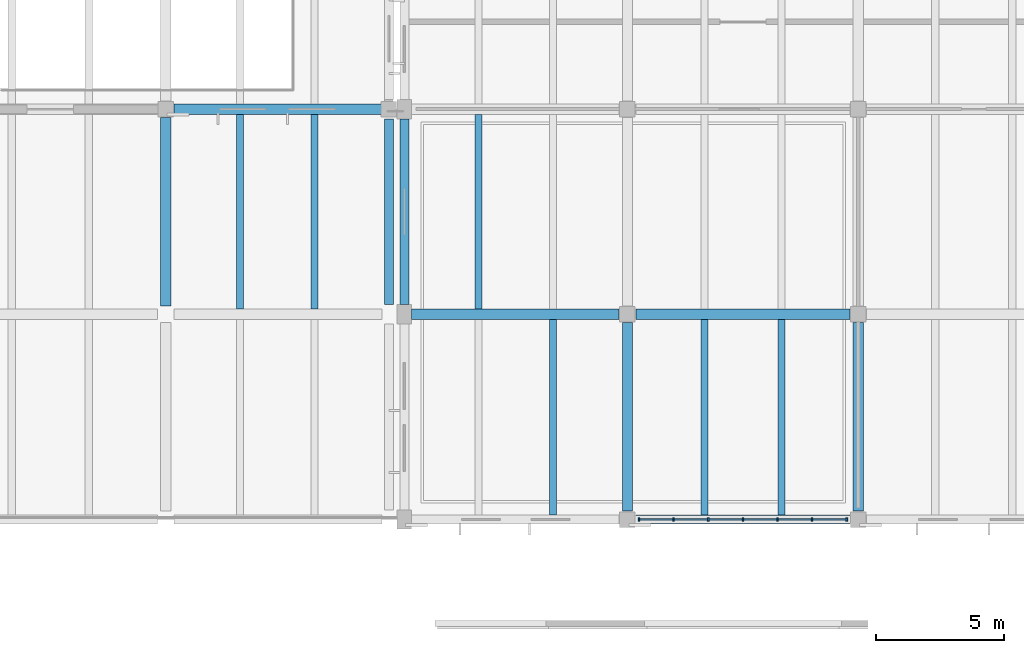
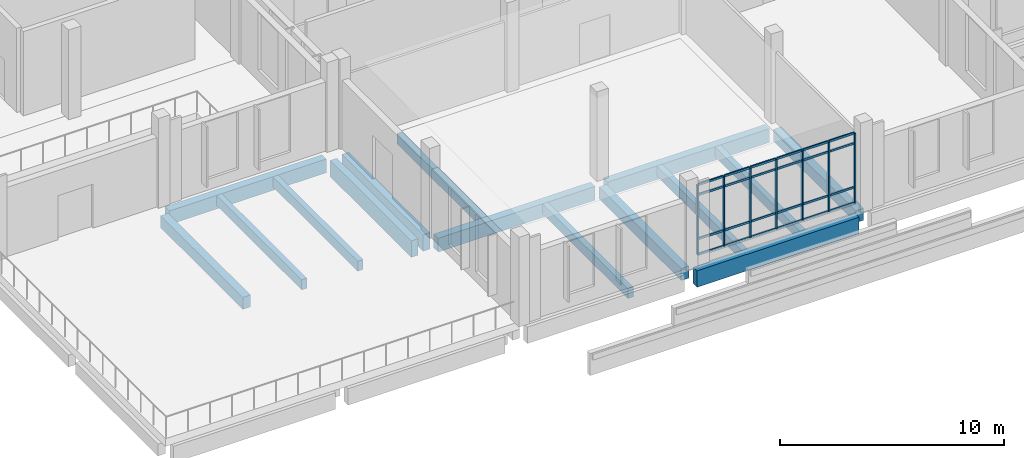
# One storey, part 13 of 110: 31 members, 15 beams, 1 element without a shape of its own.
"""IFC4 building model written with IfcOpenShell, lengths in metres."""

from ifc_helpers import new_model, si_unit, direction, frame, origin, origin_2d, place, context, subcontext, project, spatial, rectangle, extrude, material, layer, layer_set, material_profile, profile_set, type_object, element, aggregate, save


model = new_model("IFC4")

# Units and contexts
model_context = context("Model", 3, precision=1e-05, world=origin(), true_north=direction((0.0, 1.0)))
body_context = subcontext(model_context, "Body", "Model", "MODEL_VIEW")
ifc_project = project(units=[si_unit("LENGTHUNIT", "METRE"), si_unit("AREAUNIT", "SQUARE_METRE"), si_unit("VOLUMEUNIT", "CUBIC_METRE"), si_unit("PLANEANGLEUNIT", "RADIAN"), si_unit("MASSUNIT", "GRAM", prefix="KILO")], contexts=[model_context])

# Site, building, storey
site_placement = place(None, origin())
site = spatial("IfcSite", under=ifc_project, at=site_placement, CompositionType="ELEMENT")
building_placement = place(site_placement, origin())
building = spatial("IfcBuilding", under=site, at=building_placement, Name="Zacnel Wholesale Market", CompositionType="ELEMENT")
storey_placement = place(building_placement, frame((0.0, 0.0, 6.300048828125)))
storey = spatial("IfcBuildingStorey", under=building, at=storey_placement, Name="L02", CompositionType="ELEMENT", Elevation=6.300048828125)

# Beams
ifc_material_1 = material(Name="Precast concrete C45/55", Category="concrete")
ifc_material_profile_1 = material_profile(ifc_material_1, rectangle(XDim=0.280029296875, YDim=0.550048828125, at=origin_2d()), Name="DT RIB 280x550")
ifc_profile_set_1 = profile_set([ifc_material_profile_1], Name="Precast concrete C45/55")
beam_type_1 = type_object("IfcBeamType", Name="BM-DT550", PredefinedType="JOIST", material=ifc_profile_set_1)
for number, where, z_axis, x_axis, name in (
    (1, (78.10009765625, 0.175048828125, -0.574951171875), (0.0, 1.0, 0.0), (-1.0, 0.0, 0.0), "Precast secondary joist L02-0006"),
    (2, (84.0, 0.175048828125, -0.574951171875), (0.0, 1.0, 0.0), (-1.0, 0.0, 0.0), "Precast secondary joist L02-0007"),
    (3, (87.0, 0.175048828125, -0.574951171875), (0.0, 1.0, 0.0), (-1.0, 0.0, 0.0), "Precast secondary joist L02-0008"),
):
    element("IfcBeam", number, at=place(storey_placement, frame(where, z_axis=z_axis, x_axis=x_axis)), inside=storey, type_object=beam_type_1, Name=name, PredefinedType="JOIST", context=body_context, shape_type="SweptSolid", body=[
        extrude(rectangle(XDim=0.280029296875, YDim=0.550048828125, at=origin_2d()), origin(), (0.0, 0.0, 1.0), 7.625),
    ])
for number, where, z_axis, x_axis, name in (
    (4, (65.89990234375, 8.199951171875, -0.695068359375), (0.0, 1.0, 0.0), (-1.0, 0.0, 0.0), "Precast secondary joist L02-0025"),
    (5, (68.800048828125, 8.199951171875, -0.695068359375), (0.0, 1.0, 0.0), (-1.0, 0.0, 0.0), "Precast secondary joist L02-0026"),
    (6, (75.199951171875, 8.199951171875, -0.574951171875), (0.0, 1.0, 0.0), (-1.0, 0.0, 0.0), "Precast secondary joist L02-0027"),
):
    element("IfcBeam", number, at=place(storey_placement, frame(where, z_axis=z_axis, x_axis=x_axis)), inside=storey, type_object=beam_type_1, Name=name, PredefinedType="JOIST", context=body_context, shape_type="SweptSolid", body=[
        extrude(rectangle(XDim=0.280029296875, YDim=0.550048828125, at=origin_2d()), origin(), (0.0, 0.0, 1.0), 7.60009765625),
    ])
ifc_material_2 = material(Name="Precast concrete C45/55", Category="concrete")
ifc_material_profile_2 = material_profile(ifc_material_2, rectangle(XDim=0.39990234375, YDim=0.64990234375, at=origin_2d()), Name="PG 400x650")
ifc_profile_set_2 = profile_set([ifc_material_profile_2], Name="Precast concrete C45/55")
beam_type_2 = type_object("IfcBeamType", Name="BM-PG650", PredefinedType="BEAM", material=ifc_profile_set_2)
for number, where, z_axis, x_axis, name in (
    (7, (63.0, 8.324951171875, -0.7451171875), (0.0, 1.0, 0.0), (-1.0, 0.0, 0.0), "Precast girder Y-0388"),
    (8, (81.0, 0.324951171875, -0.625), (0.0, 1.0, 0.0), (-1.0, 0.0, 0.0), "Precast girder Y-0420"),
    (9, (90.0, 0.324951171875, -0.625), (0.0, 1.0, 0.0), (-1.0, 0.0, 0.0), "Precast girder Y-0428"),
):
    element("IfcBeam", number, at=place(storey_placement, frame(where, z_axis=z_axis, x_axis=x_axis)), inside=storey, type_object=beam_type_2, Name=name, PredefinedType="BEAM", context=body_context, shape_type="SweptSolid", body=[
        extrude(rectangle(XDim=0.39990234375, YDim=0.64990234375, at=origin_2d()), origin(), (0.0, 0.0, 1.0), 7.35009765625),
    ])
ifc_material_3 = material(Name="Precast concrete C45/55", Category="concrete")
ifc_material_profile_3 = material_profile(ifc_material_3, rectangle(XDim=0.39990234375, YDim=0.75, at=origin_2d()), Name="PG 400x750")
ifc_profile_set_3 = profile_set([ifc_material_profile_3], Name="Precast concrete C45/55")
beam_type_3 = type_object("IfcBeamType", Name="BM-PG750", PredefinedType="BEAM", material=ifc_profile_set_3)
beam_1_placement = place(storey_placement, frame((72.574951171875, 8.0, -0.675048828125), z_axis=(1.0, 0.0, 0.0), x_axis=(0.0, 1.0, 0.0)))
element("IfcBeam", 10, at=beam_1_placement, inside=storey, type_object=beam_type_3, Name="Precast girder X-0016", PredefinedType="BEAM", context=body_context, shape_type="SweptSolid", body=[
    extrude(rectangle(XDim=0.39990234375, YDim=0.75, at=origin_2d()), origin(), (0.0, 0.0, 1.0), 8.10009765625),
])
beam_2_placement = place(storey_placement, frame((81.324951171875, 8.0, -0.675048828125), z_axis=(1.0, 0.0, 0.0), x_axis=(0.0, 1.0, 0.0)))
element("IfcBeam", 11, at=beam_2_placement, inside=storey, type_object=beam_type_3, Name="Precast girder X-0017", PredefinedType="BEAM", context=body_context, shape_type="SweptSolid", body=[
    extrude(rectangle(XDim=0.39990234375, YDim=0.75, at=origin_2d()), origin(), (0.0, 0.0, 1.0), 8.35009765625),
])
beam_3_placement = place(storey_placement, frame((63.324951171875, 16.0, -0.795166015625), z_axis=(1.0, 0.0, 0.0), x_axis=(0.0, 1.0, 0.0)))
element("IfcBeam", 12, at=beam_3_placement, inside=storey, type_object=beam_type_3, Name="Precast girder X-0032", PredefinedType="BEAM", context=body_context, shape_type="SweptSolid", body=[
    extrude(rectangle(XDim=0.39990234375, YDim=0.75, at=origin_2d()), origin(), (0.0, 0.0, 1.0), 8.10009765625),
])
ifc_material_4 = material(Name="Precast concrete C45/55", Category="concrete")
ifc_material_profile_4 = material_profile(ifc_material_4, rectangle(XDim=0.35009765625, YDim=0.89990234375, at=origin_2d()), Name="SP 350x900")
ifc_profile_set_4 = profile_set([ifc_material_profile_4], Name="Precast concrete C45/55")
beam_type_4 = type_object("IfcBeamType", Name="BM-SP900", PredefinedType="SPANDREL", material=ifc_profile_set_4)
beam_4_placement = place(storey_placement, frame((81.324951171875, 0.0, -0.75), z_axis=(1.0, 0.0, 0.0), x_axis=(0.0, 1.0, 0.0)))
element("IfcBeam", 13, at=beam_4_placement, inside=storey, type_object=beam_type_4, Name="Precast girder X-0004", PredefinedType="SPANDREL", context=body_context, shape_type="SweptSolid", body=[
    extrude(rectangle(XDim=0.35009765625, YDim=0.89990234375, at=origin_2d()), origin(), (0.0, 0.0, 1.0), 8.35009765625),
])
for number, where, z_axis, x_axis, name in (
    (14, (71.699951171875, 8.375, -0.8701171875), (0.0, 1.0, 0.0), (-1.0, 0.0, 0.0), "Precast girder Y-0402"),
    (15, (72.300048828125, 8.375, -0.75), (0.0, 1.0, 0.0), (-1.0, 0.0, 0.0), "Precast girder Y-0417"),
):
    element("IfcBeam", number, at=place(storey_placement, frame(where, z_axis=z_axis, x_axis=x_axis)), inside=storey, type_object=beam_type_4, Name=name, PredefinedType="SPANDREL", context=body_context, shape_type="SweptSolid", body=[
        extrude(rectangle(XDim=0.35009765625, YDim=0.89990234375, at=origin_2d()), origin(), (0.0, 0.0, 1.0), 7.25),
    ])

# Curtain wall, members
ifc_material_5 = material(Name="Anodised aluminium", Category="aluminium")
ifc_layer = layer(ifc_material_5, 0.159912109375)
ifc_layer_set = layer_set([ifc_layer], Name="Anodised aluminium")
curtain_wall_type = type_object("IfcCurtainWallType", Name="CW-TERR-3900", PredefinedType="NOTDEFINED", material=ifc_layer_set)
curtain_wall_placement = place(storey_placement, origin())
curtain_wall = element("IfcCurtainWall", 16, at=curtain_wall_placement, inside=storey, type_object=curtain_wall_type, Name="Curtain wall ENV-R2-CW-L02-009", PredefinedType="NOTDEFINED")
ifc_material_6 = material(Name="Anodised aluminium", Category="aluminium")
ifc_material_profile_5 = material_profile(ifc_material_6, rectangle(XDim=0.06494140625, YDim=0.14990234375, at=origin_2d()), Name="AW-MULLION 65x150")
ifc_profile_set_5 = profile_set([ifc_material_profile_5], Name="Anodised aluminium")
member_type_1 = type_object("IfcMemberType", Name="CWM-MUL-05", PredefinedType="MULLION", material=ifc_profile_set_5)
member_1_placement = place(storey_placement, frame((81.449951171875, 0.0, 0.449951171875), z_axis=(0.0, 0.0, 1.0), x_axis=(1.0, 0.0, 0.0)))
member_1 = element("IfcMember", 17, at=member_1_placement, type_object=member_type_1, Name="ENV-R2-CW-L02-009 mullion 01", PredefinedType="MULLION", context=body_context, shape_type="SweptSolid", body=[
    extrude(rectangle(XDim=0.06494140625, YDim=0.14990234375, at=origin_2d()), origin(), (0.0, 0.0, 1.0), 3.800048828125),
])
member_2_placement = place(storey_placement, frame((82.800048828125, 0.0, 0.449951171875), z_axis=(0.0, 0.0, 1.0), x_axis=(1.0, 0.0, 0.0)))
member_2 = element("IfcMember", 18, at=member_2_placement, type_object=member_type_1, Name="ENV-R2-CW-L02-009 mullion 02", PredefinedType="MULLION", context=body_context, shape_type="SweptSolid", body=[
    extrude(rectangle(XDim=0.06494140625, YDim=0.14990234375, at=origin_2d()), origin(), (0.0, 0.0, 1.0), 3.800048828125),
])
member_3_placement = place(storey_placement, frame((84.14990234375, 0.0, 0.449951171875), z_axis=(0.0, 0.0, 1.0), x_axis=(1.0, 0.0, 0.0)))
member_3 = element("IfcMember", 19, at=member_3_placement, type_object=member_type_1, Name="ENV-R2-CW-L02-009 mullion 03", PredefinedType="MULLION", context=body_context, shape_type="SweptSolid", body=[
    extrude(rectangle(XDim=0.06494140625, YDim=0.14990234375, at=origin_2d()), origin(), (0.0, 0.0, 1.0), 3.800048828125),
])
member_4_placement = place(storey_placement, frame((85.5, 0.0, 0.449951171875), z_axis=(0.0, 0.0, 1.0), x_axis=(1.0, 0.0, 0.0)))
member_4 = element("IfcMember", 20, at=member_4_placement, type_object=member_type_1, Name="ENV-R2-CW-L02-009 mullion 04", PredefinedType="MULLION", context=body_context, shape_type="SweptSolid", body=[
    extrude(rectangle(XDim=0.06494140625, YDim=0.14990234375, at=origin_2d()), origin(), (0.0, 0.0, 1.0), 3.800048828125),
])
member_5_placement = place(storey_placement, frame((86.85009765625, 0.0, 0.449951171875), z_axis=(0.0, 0.0, 1.0), x_axis=(1.0, 0.0, 0.0)))
member_5 = element("IfcMember", 21, at=member_5_placement, type_object=member_type_1, Name="ENV-R2-CW-L02-009 mullion 05", PredefinedType="MULLION", context=body_context, shape_type="SweptSolid", body=[
    extrude(rectangle(XDim=0.06494140625, YDim=0.14990234375, at=origin_2d()), origin(), (0.0, 0.0, 1.0), 3.800048828125),
])
member_6_placement = place(storey_placement, frame((88.199951171875, 0.0, 0.449951171875), z_axis=(0.0, 0.0, 1.0), x_axis=(1.0, 0.0, 0.0)))
member_6 = element("IfcMember", 22, at=member_6_placement, type_object=member_type_1, Name="ENV-R2-CW-L02-009 mullion 06", PredefinedType="MULLION", context=body_context, shape_type="SweptSolid", body=[
    extrude(rectangle(XDim=0.06494140625, YDim=0.14990234375, at=origin_2d()), origin(), (0.0, 0.0, 1.0), 3.800048828125),
])
member_7_placement = place(storey_placement, frame((89.550048828125, 0.0, 0.449951171875), z_axis=(0.0, 0.0, 1.0), x_axis=(1.0, 0.0, 0.0)))
member_7 = element("IfcMember", 23, at=member_7_placement, type_object=member_type_1, Name="ENV-R2-CW-L02-009 mullion 07", PredefinedType="MULLION", context=body_context, shape_type="SweptSolid", body=[
    extrude(rectangle(XDim=0.06494140625, YDim=0.14990234375, at=origin_2d()), origin(), (0.0, 0.0, 1.0), 3.800048828125),
])
ifc_material_7 = material(Name="Anodised aluminium", Category="aluminium")
ifc_material_profile_6 = material_profile(ifc_material_7, rectangle(XDim=0.06494140625, YDim=0.114990234375, at=origin_2d()), Name="AW-TRANSOM 65x115")
ifc_profile_set_6 = profile_set([ifc_material_profile_6], Name="Anodised aluminium")
member_type_2 = type_object("IfcMemberType", Name="CWM-TRN-05", PredefinedType="USERDEFINED", material=ifc_profile_set_6)
member_8_placement = place(storey_placement, frame((81.485107421875, 0.0, 0.449951171875), z_axis=(1.0, 0.0, 0.0), x_axis=(0.0, 1.0, 0.0)))
member_8 = element("IfcMember", 24, at=member_8_placement, type_object=member_type_2, Name="ENV-R2-CW-L02-009 transom 1-1", ObjectType="TRANSOM", PredefinedType="USERDEFINED", context=body_context, shape_type="SweptSolid", body=[
    extrude(rectangle(XDim=0.06494140625, YDim=0.114990234375, at=origin_2d()), origin(), (0.0, 0.0, 1.0), 1.27978515625),
])
member_9_placement = place(storey_placement, frame((81.485107421875, 0.0, 1.300048828125), z_axis=(1.0, 0.0, 0.0), x_axis=(0.0, 1.0, 0.0)))
member_9 = element("IfcMember", 25, at=member_9_placement, type_object=member_type_2, Name="ENV-R2-CW-L02-009 transom 1-2", ObjectType="TRANSOM", PredefinedType="USERDEFINED", context=body_context, shape_type="SweptSolid", body=[
    extrude(rectangle(XDim=0.06494140625, YDim=0.114990234375, at=origin_2d()), origin(), (0.0, 0.0, 1.0), 1.27978515625),
])
member_10_placement = place(storey_placement, frame((81.485107421875, 0.0, 3.699951171875), z_axis=(1.0, 0.0, 0.0), x_axis=(0.0, 1.0, 0.0)))
member_10 = element("IfcMember", 26, at=member_10_placement, type_object=member_type_2, Name="ENV-R2-CW-L02-009 transom 1-3", ObjectType="TRANSOM", PredefinedType="USERDEFINED", context=body_context, shape_type="SweptSolid", body=[
    extrude(rectangle(XDim=0.06494140625, YDim=0.114990234375, at=origin_2d()), origin(), (0.0, 0.0, 1.0), 1.27978515625),
])
member_11_placement = place(storey_placement, frame((81.485107421875, 0.0, 4.25), z_axis=(1.0, 0.0, 0.0), x_axis=(0.0, 1.0, 0.0)))
member_11 = element("IfcMember", 27, at=member_11_placement, type_object=member_type_2, Name="ENV-R2-CW-L02-009 transom 1-4", ObjectType="TRANSOM", PredefinedType="USERDEFINED", context=body_context, shape_type="SweptSolid", body=[
    extrude(rectangle(XDim=0.06494140625, YDim=0.114990234375, at=origin_2d()), origin(), (0.0, 0.0, 1.0), 1.27978515625),
])
member_12_placement = place(storey_placement, frame((82.8349609375, 0.0, 0.449951171875), z_axis=(1.0, 0.0, 0.0), x_axis=(0.0, 1.0, 0.0)))
member_12 = element("IfcMember", 28, at=member_12_placement, type_object=member_type_2, Name="ENV-R2-CW-L02-009 transom 2-1", ObjectType="TRANSOM", PredefinedType="USERDEFINED", context=body_context, shape_type="SweptSolid", body=[
    extrude(rectangle(XDim=0.06494140625, YDim=0.114990234375, at=origin_2d()), origin(), (0.0, 0.0, 1.0), 1.280029296875),
])
member_13_placement = place(storey_placement, frame((82.8349609375, 0.0, 1.300048828125), z_axis=(1.0, 0.0, 0.0), x_axis=(0.0, 1.0, 0.0)))
member_13 = element("IfcMember", 29, at=member_13_placement, type_object=member_type_2, Name="ENV-R2-CW-L02-009 transom 2-2", ObjectType="TRANSOM", PredefinedType="USERDEFINED", context=body_context, shape_type="SweptSolid", body=[
    extrude(rectangle(XDim=0.06494140625, YDim=0.114990234375, at=origin_2d()), origin(), (0.0, 0.0, 1.0), 1.280029296875),
])
member_14_placement = place(storey_placement, frame((82.8349609375, 0.0, 3.699951171875), z_axis=(1.0, 0.0, 0.0), x_axis=(0.0, 1.0, 0.0)))
member_14 = element("IfcMember", 30, at=member_14_placement, type_object=member_type_2, Name="ENV-R2-CW-L02-009 transom 2-3", ObjectType="TRANSOM", PredefinedType="USERDEFINED", context=body_context, shape_type="SweptSolid", body=[
    extrude(rectangle(XDim=0.06494140625, YDim=0.114990234375, at=origin_2d()), origin(), (0.0, 0.0, 1.0), 1.280029296875),
])
member_15_placement = place(storey_placement, frame((82.8349609375, 0.0, 4.25), z_axis=(1.0, 0.0, 0.0), x_axis=(0.0, 1.0, 0.0)))
member_15 = element("IfcMember", 31, at=member_15_placement, type_object=member_type_2, Name="ENV-R2-CW-L02-009 transom 2-4", ObjectType="TRANSOM", PredefinedType="USERDEFINED", context=body_context, shape_type="SweptSolid", body=[
    extrude(rectangle(XDim=0.06494140625, YDim=0.114990234375, at=origin_2d()), origin(), (0.0, 0.0, 1.0), 1.280029296875),
])
member_16_placement = place(storey_placement, frame((84.18505859375, 0.0, 0.449951171875), z_axis=(1.0, 0.0, 0.0), x_axis=(0.0, 1.0, 0.0)))
member_16 = element("IfcMember", 32, at=member_16_placement, type_object=member_type_2, Name="ENV-R2-CW-L02-009 transom 3-1", ObjectType="TRANSOM", PredefinedType="USERDEFINED", context=body_context, shape_type="SweptSolid", body=[
    extrude(rectangle(XDim=0.06494140625, YDim=0.114990234375, at=origin_2d()), origin(), (0.0, 0.0, 1.0), 1.280029296875),
])
member_17_placement = place(storey_placement, frame((84.18505859375, 0.0, 1.300048828125), z_axis=(1.0, 0.0, 0.0), x_axis=(0.0, 1.0, 0.0)))
member_17 = element("IfcMember", 33, at=member_17_placement, type_object=member_type_2, Name="ENV-R2-CW-L02-009 transom 3-2", ObjectType="TRANSOM", PredefinedType="USERDEFINED", context=body_context, shape_type="SweptSolid", body=[
    extrude(rectangle(XDim=0.06494140625, YDim=0.114990234375, at=origin_2d()), origin(), (0.0, 0.0, 1.0), 1.280029296875),
])
member_18_placement = place(storey_placement, frame((84.18505859375, 0.0, 3.699951171875), z_axis=(1.0, 0.0, 0.0), x_axis=(0.0, 1.0, 0.0)))
member_18 = element("IfcMember", 34, at=member_18_placement, type_object=member_type_2, Name="ENV-R2-CW-L02-009 transom 3-3", ObjectType="TRANSOM", PredefinedType="USERDEFINED", context=body_context, shape_type="SweptSolid", body=[
    extrude(rectangle(XDim=0.06494140625, YDim=0.114990234375, at=origin_2d()), origin(), (0.0, 0.0, 1.0), 1.280029296875),
])
member_19_placement = place(storey_placement, frame((84.18505859375, 0.0, 4.25), z_axis=(1.0, 0.0, 0.0), x_axis=(0.0, 1.0, 0.0)))
member_19 = element("IfcMember", 35, at=member_19_placement, type_object=member_type_2, Name="ENV-R2-CW-L02-009 transom 3-4", ObjectType="TRANSOM", PredefinedType="USERDEFINED", context=body_context, shape_type="SweptSolid", body=[
    extrude(rectangle(XDim=0.06494140625, YDim=0.114990234375, at=origin_2d()), origin(), (0.0, 0.0, 1.0), 1.280029296875),
])
member_20_placement = place(storey_placement, frame((85.534912109375, 0.0, 0.449951171875), z_axis=(1.0, 0.0, 0.0), x_axis=(0.0, 1.0, 0.0)))
member_20 = element("IfcMember", 36, at=member_20_placement, type_object=member_type_2, Name="ENV-R2-CW-L02-009 transom 4-1", ObjectType="TRANSOM", PredefinedType="USERDEFINED", context=body_context, shape_type="SweptSolid", body=[
    extrude(rectangle(XDim=0.06494140625, YDim=0.114990234375, at=origin_2d()), origin(), (0.0, 0.0, 1.0), 1.280029296875),
])
member_21_placement = place(storey_placement, frame((85.534912109375, 0.0, 1.300048828125), z_axis=(1.0, 0.0, 0.0), x_axis=(0.0, 1.0, 0.0)))
member_21 = element("IfcMember", 37, at=member_21_placement, type_object=member_type_2, Name="ENV-R2-CW-L02-009 transom 4-2", ObjectType="TRANSOM", PredefinedType="USERDEFINED", context=body_context, shape_type="SweptSolid", body=[
    extrude(rectangle(XDim=0.06494140625, YDim=0.114990234375, at=origin_2d()), origin(), (0.0, 0.0, 1.0), 1.280029296875),
])
member_22_placement = place(storey_placement, frame((85.534912109375, 0.0, 3.699951171875), z_axis=(1.0, 0.0, 0.0), x_axis=(0.0, 1.0, 0.0)))
member_22 = element("IfcMember", 38, at=member_22_placement, type_object=member_type_2, Name="ENV-R2-CW-L02-009 transom 4-3", ObjectType="TRANSOM", PredefinedType="USERDEFINED", context=body_context, shape_type="SweptSolid", body=[
    extrude(rectangle(XDim=0.06494140625, YDim=0.114990234375, at=origin_2d()), origin(), (0.0, 0.0, 1.0), 1.280029296875),
])
member_23_placement = place(storey_placement, frame((85.534912109375, 0.0, 4.25), z_axis=(1.0, 0.0, 0.0), x_axis=(0.0, 1.0, 0.0)))
member_23 = element("IfcMember", 39, at=member_23_placement, type_object=member_type_2, Name="ENV-R2-CW-L02-009 transom 4-4", ObjectType="TRANSOM", PredefinedType="USERDEFINED", context=body_context, shape_type="SweptSolid", body=[
    extrude(rectangle(XDim=0.06494140625, YDim=0.114990234375, at=origin_2d()), origin(), (0.0, 0.0, 1.0), 1.280029296875),
])
member_24_placement = place(storey_placement, frame((86.885009765625, 0.0, 0.449951171875), z_axis=(1.0, 0.0, 0.0), x_axis=(0.0, 1.0, 0.0)))
member_24 = element("IfcMember", 40, at=member_24_placement, type_object=member_type_2, Name="ENV-R2-CW-L02-009 transom 5-1", ObjectType="TRANSOM", PredefinedType="USERDEFINED", context=body_context, shape_type="SweptSolid", body=[
    extrude(rectangle(XDim=0.06494140625, YDim=0.114990234375, at=origin_2d()), origin(), (0.0, 0.0, 1.0), 1.280029296875),
])
member_25_placement = place(storey_placement, frame((86.885009765625, 0.0, 1.300048828125), z_axis=(1.0, 0.0, 0.0), x_axis=(0.0, 1.0, 0.0)))
member_25 = element("IfcMember", 41, at=member_25_placement, type_object=member_type_2, Name="ENV-R2-CW-L02-009 transom 5-2", ObjectType="TRANSOM", PredefinedType="USERDEFINED", context=body_context, shape_type="SweptSolid", body=[
    extrude(rectangle(XDim=0.06494140625, YDim=0.114990234375, at=origin_2d()), origin(), (0.0, 0.0, 1.0), 1.280029296875),
])
member_26_placement = place(storey_placement, frame((86.885009765625, 0.0, 3.699951171875), z_axis=(1.0, 0.0, 0.0), x_axis=(0.0, 1.0, 0.0)))
member_26 = element("IfcMember", 42, at=member_26_placement, type_object=member_type_2, Name="ENV-R2-CW-L02-009 transom 5-3", ObjectType="TRANSOM", PredefinedType="USERDEFINED", context=body_context, shape_type="SweptSolid", body=[
    extrude(rectangle(XDim=0.06494140625, YDim=0.114990234375, at=origin_2d()), origin(), (0.0, 0.0, 1.0), 1.280029296875),
])
member_27_placement = place(storey_placement, frame((86.885009765625, 0.0, 4.25), z_axis=(1.0, 0.0, 0.0), x_axis=(0.0, 1.0, 0.0)))
member_27 = element("IfcMember", 43, at=member_27_placement, type_object=member_type_2, Name="ENV-R2-CW-L02-009 transom 5-4", ObjectType="TRANSOM", PredefinedType="USERDEFINED", context=body_context, shape_type="SweptSolid", body=[
    extrude(rectangle(XDim=0.06494140625, YDim=0.114990234375, at=origin_2d()), origin(), (0.0, 0.0, 1.0), 1.280029296875),
])
member_28_placement = place(storey_placement, frame((88.235107421875, 0.0, 0.449951171875), z_axis=(1.0, 0.0, 0.0), x_axis=(0.0, 1.0, 0.0)))
member_28 = element("IfcMember", 44, at=member_28_placement, type_object=member_type_2, Name="ENV-R2-CW-L02-009 transom 6-1", ObjectType="TRANSOM", PredefinedType="USERDEFINED", context=body_context, shape_type="SweptSolid", body=[
    extrude(rectangle(XDim=0.06494140625, YDim=0.114990234375, at=origin_2d()), origin(), (0.0, 0.0, 1.0), 1.27978515625),
])
member_29_placement = place(storey_placement, frame((88.235107421875, 0.0, 1.300048828125), z_axis=(1.0, 0.0, 0.0), x_axis=(0.0, 1.0, 0.0)))
member_29 = element("IfcMember", 45, at=member_29_placement, type_object=member_type_2, Name="ENV-R2-CW-L02-009 transom 6-2", ObjectType="TRANSOM", PredefinedType="USERDEFINED", context=body_context, shape_type="SweptSolid", body=[
    extrude(rectangle(XDim=0.06494140625, YDim=0.114990234375, at=origin_2d()), origin(), (0.0, 0.0, 1.0), 1.27978515625),
])
member_30_placement = place(storey_placement, frame((88.235107421875, 0.0, 3.699951171875), z_axis=(1.0, 0.0, 0.0), x_axis=(0.0, 1.0, 0.0)))
member_30 = element("IfcMember", 46, at=member_30_placement, type_object=member_type_2, Name="ENV-R2-CW-L02-009 transom 6-3", ObjectType="TRANSOM", PredefinedType="USERDEFINED", context=body_context, shape_type="SweptSolid", body=[
    extrude(rectangle(XDim=0.06494140625, YDim=0.114990234375, at=origin_2d()), origin(), (0.0, 0.0, 1.0), 1.27978515625),
])
member_31_placement = place(storey_placement, frame((88.235107421875, 0.0, 4.25), z_axis=(1.0, 0.0, 0.0), x_axis=(0.0, 1.0, 0.0)))
member_31 = element("IfcMember", 47, at=member_31_placement, type_object=member_type_2, Name="ENV-R2-CW-L02-009 transom 6-4", ObjectType="TRANSOM", PredefinedType="USERDEFINED", context=body_context, shape_type="SweptSolid", body=[
    extrude(rectangle(XDim=0.06494140625, YDim=0.114990234375, at=origin_2d()), origin(), (0.0, 0.0, 1.0), 1.27978515625),
])
aggregate(curtain_wall, [member_1, member_2, member_3, member_4, member_5, member_6, member_7, member_8, member_9, member_10, member_11, member_12, member_13, member_14, member_15, member_16, member_17, member_18, member_19, member_20, member_21, member_22, member_23, member_24, member_25, member_26, member_27, member_28, member_29, member_30, member_31])

save(model, "model.ifc")
